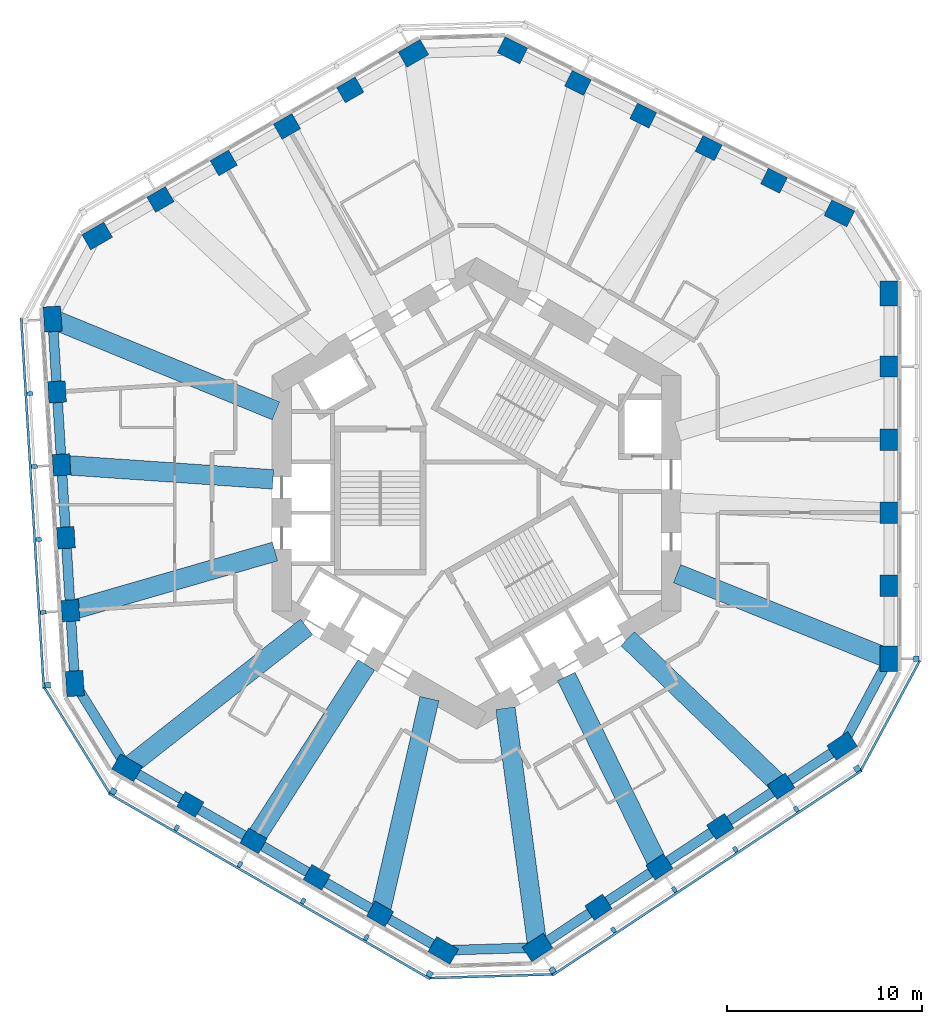
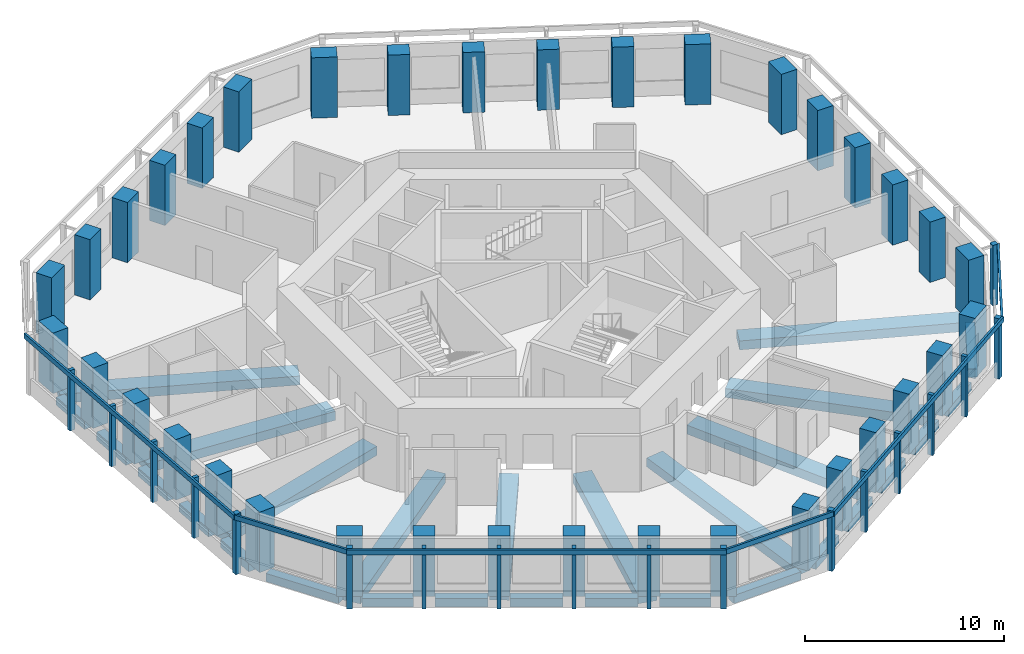
# One storey, part 1 of 11: 36 columns, 28 beams, 24 members, 7 elements without a shape of their own.
"""IFC4 building model written with IfcOpenShell, lengths in metres."""

from ifc_helpers import new_model, si_unit, direction, frame, origin, origin_2d, place, context, subcontext, project, spatial, rectangle, extrude, material, material_profile, profile_set, type_object, element, aggregate, save


model = new_model("IFC4")

# Units and contexts
model_context = context("Model", 3, precision=1e-05, world=origin(), true_north=direction((0.0, 1.0)))
body_context = subcontext(model_context, "Body", "Model", "MODEL_VIEW")
ifc_project = project(units=[si_unit("LENGTHUNIT", "METRE"), si_unit("AREAUNIT", "SQUARE_METRE"), si_unit("VOLUMEUNIT", "CUBIC_METRE"), si_unit("PLANEANGLEUNIT", "RADIAN"), si_unit("MASSUNIT", "GRAM", prefix="KILO")], contexts=[model_context])

# Site, building, storey
site_placement = place(None, origin())
site = spatial("IfcSite", under=ifc_project, at=site_placement, CompositionType="ELEMENT")
building_placement = place(site_placement, origin())
building = spatial("IfcBuilding", under=site, at=building_placement, Name="Vanh Sen Convention Tower", CompositionType="ELEMENT")
storey_placement = place(building_placement, frame((0.0, 0.0, 146.60009765625)))
storey = spatial("IfcBuildingStorey", under=building, at=storey_placement, Name="L35", CompositionType="ELEMENT", Elevation=146.60009765625)

# Columns
ifc_material_1 = material(Name="Concrete C80/95", Category="concrete")
ifc_material_profile_1 = material_profile(ifc_material_1, rectangle(XDim=1.10009765625, YDim=0.89990234375, at=origin_2d()), Name="RC 1100X900")
ifc_profile_set_1 = profile_set([ifc_material_profile_1], Name="Concrete C80/95")
column_type_1 = type_object("IfcColumnType", Name="Facade column 1100 x 900 C80/95", PredefinedType="COLUMN", material=ifc_profile_set_1)
for number, where, z_axis, x_axis, name in (
    (1, (21.199951171875, -4.746826171875, 0.0), (0.0, 0.0, 1.0), (0.0, 1.0, 0.0), "Facade column 02 L35"),
    (2, (21.199951171875, -0.992919921875, 0.0), (0.0, 0.0, 1.0), (0.0, 1.0, 0.0), "Facade column 03 L35"),
    (3, (21.199951171875, 2.76123046875, 0.0), (0.0, 0.0, 1.0), (0.0, 1.0, 0.0), "Facade column 04 L35"),
    (4, (21.199951171875, 6.515380859375, 0.0), (0.0, 0.0, 1.0), (0.0, 1.0, 0.0), "Facade column 05 L35"),
    (5, (15.290283203125, 16.0654296875, 0.0), (0.0, 0.0, 1.0), (-0.894934361602, 0.44619781311, 0.0), "Facade column 08 L35"),
    (6, (11.9306640625, 17.740478515625, 0.0), (0.0, 0.0, 1.0), (-0.894934361602, 0.44619781311, 0.0), "Facade column 09 L35"),
    (7, (8.57080078125, 19.41552734375, 0.0), (0.0, 0.0, 1.0), (-0.894934361602, 0.44619781311, 0.0), "Facade column 10 L35"),
    (8, (5.211181640625, 21.0908203125, 0.0), (0.0, 0.0, 1.0), (-0.894934361602, 0.44619781311, 0.0), "Facade column 11 L35"),
    (9, (-6.489013671875, 20.733154296875, 0.0), (0.0, 0.0, 1.0), (-0.866025403784, -0.5, 0.0), "Facade column 14 L35"),
    (10, (-9.740234375, 18.856201171875, 0.0), (0.0, 0.0, 1.0), (-0.866025403784, -0.5, 0.0), "Facade column 15 L35"),
    (11, (-12.991455078125, 16.97900390625, 0.0), (0.0, 0.0, 1.0), (-0.866025403784, -0.5, 0.0), "Facade column 16 L35"),
    (12, (-16.242431640625, 15.10205078125, 0.0), (0.0, 0.0, 1.0), (-0.866025403784, -0.5, 0.0), "Facade column 17 L35"),
    (13, (-21.55810546875, 5.208984375, 0.0), (0.0, 0.0, 1.0), (0.061048539535, -0.998134798422, 0.0), "Facade column 20 L35"),
    (14, (-21.3291015625, 1.4619140625, 0.0), (0.0, 0.0, 1.0), (0.061048539535, -0.998134798422, 0.0), "Facade column 21 L35"),
    (15, (-21.099853515625, -2.28515625, 0.0), (0.0, 0.0, 1.0), (0.061048539535, -0.998134798422, 0.0), "Facade column 22 L35"),
    (16, (-20.87060546875, -6.0322265625, 0.0), (0.0, 0.0, 1.0), (0.061048539535, -0.998134798422, 0.0), "Facade column 23 L35"),
    (17, (-14.7109375, -15.986328125, 0.0), (0.0, 0.0, 1.0), (0.866025403784, -0.5, 0.0), "Facade column 26 L35"),
    (18, (-11.459716796875, -17.86328125, 0.0), (0.0, 0.0, 1.0), (0.866025403784, -0.5, 0.0), "Facade column 27 L35"),
    (19, (-8.20849609375, -19.740478515625, 0.0), (0.0, 0.0, 1.0), (0.866025403784, -0.5, 0.0), "Facade column 28 L35"),
    (20, (-4.95751953125, -21.617431640625, 0.0), (0.0, 0.0, 1.0), (0.866025403784, -0.5, 0.0), "Facade column 29 L35"),
    (21, (6.267822265625, -21.2744140625, 0.0), (0.0, 0.0, 1.0), (0.833885822067, 0.551936985312, 0.0), "Facade column 32 L35"),
    (22, (9.3984375, -19.202392578125, 0.0), (0.0, 0.0, 1.0), (0.833885822067, 0.551936985312, 0.0), "Facade column 33 L35"),
    (23, (12.52880859375, -17.13037109375, 0.0), (0.0, 0.0, 1.0), (0.833885822067, 0.551936985312, 0.0), "Facade column 34 L35"),
    (24, (15.659423828125, -15.058349609375, 0.0), (0.0, 0.0, 1.0), (0.833885822067, 0.551936985312, 0.0), "Facade column 35 L35"),
):
    element("IfcColumn", number, at=place(storey_placement, frame(where, z_axis=z_axis, x_axis=x_axis)), inside=storey, type_object=column_type_1, Name=name, PredefinedType="COLUMN", context=body_context, shape_type="SweptSolid", body=[
        extrude(rectangle(XDim=1.10009765625, YDim=0.89990234375, at=origin_2d()), origin(), (0.0, 0.0, 1.0), 3.699951171875),
    ])
ifc_material_profile_2 = material_profile(ifc_material_1, rectangle(XDim=1.300048828125, YDim=0.89990234375, at=origin_2d()), Name="RC 1300X900")
ifc_profile_set_2 = profile_set([ifc_material_profile_2], Name="Concrete C80/95")
column_type_2 = type_object("IfcColumnType", Name="Facade corner column 1300 x 900 C80/95", PredefinedType="COLUMN", material=ifc_profile_set_2)
for number, where, z_axis, x_axis, name in (
    (25, (21.199951171875, -8.5009765625, 0.0), (0.0, 0.0, 1.0), (0.0, 1.0, 0.0), "Facade column 01 L35"),
    (26, (21.199951171875, 10.26953125, 0.0), (0.0, 0.0, 1.0), (0.0, 1.0, 0.0), "Facade column 06 L35"),
    (27, (18.64990234375, 14.390380859375, 0.0), (0.0, 0.0, 1.0), (-0.894934361602, 0.44619781311, 0.0), "Facade column 07 L35"),
    (28, (1.8515625, 22.765625, 0.0), (0.0, 0.0, 1.0), (-0.894934361602, 0.44619781311, 0.0), "Facade column 12 L35"),
    (29, (-3.23779296875, 22.610107421875, 0.0), (0.0, 0.0, 1.0), (-0.866025403784, -0.5, 0.0), "Facade column 13 L35"),
    (30, (-19.49365234375, 13.22509765625, 0.0), (0.0, 0.0, 1.0), (-0.866025403784, -0.5, 0.0), "Facade column 18 L35"),
    (31, (-21.787353515625, 8.956298828125, 0.0), (0.0, 0.0, 1.0), (0.061048539535, -0.998134798422, 0.0), "Facade column 19 L35"),
    (32, (-20.6416015625, -9.779296875, 0.0), (0.0, 0.0, 1.0), (0.061048539535, -0.998134798422, 0.0), "Facade column 24 L35"),
    (33, (-17.962158203125, -14.109130859375, 0.0), (0.0, 0.0, 1.0), (0.866025403784, -0.5, 0.0), "Facade column 25 L35"),
    (34, (-1.706298828125, -23.494384765625, 0.0), (0.0, 0.0, 1.0), (0.866025403784, -0.5, 0.0), "Facade column 30 L35"),
    (35, (3.137451171875, -23.346435546875, 0.0), (0.0, 0.0, 1.0), (0.833885822067, 0.551936985312, 0.0), "Facade column 31 L35"),
    (36, (18.789794921875, -12.986328125, 0.0), (0.0, 0.0, 1.0), (0.833885822067, 0.551936985312, 0.0), "Facade column 36 L35"),
):
    element("IfcColumn", number, at=place(storey_placement, frame(where, z_axis=z_axis, x_axis=x_axis)), inside=storey, type_object=column_type_2, Name=name, PredefinedType="COLUMN", context=body_context, shape_type="SweptSolid", body=[
        extrude(rectangle(XDim=1.300048828125, YDim=0.89990234375, at=origin_2d()), origin(), (0.0, 0.0, 1.0), 3.699951171875),
    ])

# Curtain wall, member
ifc_material_2 = material(Name="Concrete C50/60", Category="concrete")
curtain_wall_type = type_object("IfcCurtainWallType", Name="Outer skin office zone", PredefinedType="NOTDEFINED", material=ifc_material_2)
curtain_wall_1_placement = place(storey_placement, origin())
curtain_wall_1 = element("IfcCurtainWall", 37, at=curtain_wall_1_placement, inside=storey, type_object=curtain_wall_type, Name="OUTER SKIN E L35", PredefinedType="NOTDEFINED")
ifc_material_profile_3 = material_profile(ifc_material_2, rectangle(XDim=0.300048828125, YDim=0.300048828125, at=origin_2d()), Name="Outer skin precast corner fin 300 x 300")
ifc_profile_set_3 = profile_set([ifc_material_profile_3], Name="Concrete C50/60")
member_type_1 = type_object("IfcMemberType", Name="Outer skin precast corner fin 300 x 300", PredefinedType="MULLION", material=ifc_profile_set_3)
member_1_placement = place(storey_placement, frame((22.60009765625, -8.5009765625, 0.0), z_axis=(0.0, 0.0, 1.0), x_axis=(0.0, 1.0, 0.0)))
member_1 = element("IfcMember", 38, at=member_1_placement, type_object=member_type_1, Name="OUTER SKIN CORNER FIN 1 E L35", PredefinedType="MULLION", context=body_context, shape_type="SweptSolid", body=[
    extrude(rectangle(XDim=0.300048828125, YDim=0.300048828125, at=origin_2d()), origin(), (0.0, 0.0, 1.0), 3.699951171875),
])
aggregate(curtain_wall_1, [member_1])

curtain_wall_2_placement = place(storey_placement, origin())
curtain_wall_2 = element("IfcCurtainWall", 39, at=curtain_wall_2_placement, inside=storey, type_object=curtain_wall_type, Name="OUTER SKIN W L35", PredefinedType="NOTDEFINED")
member_2_placement = place(storey_placement, frame((-22.038818359375, -9.864990234375, 0.0), z_axis=(0.0, 0.0, 1.0), x_axis=(0.061048539535, -0.998134798422, 0.0)))
member_2 = element("IfcMember", 40, at=member_2_placement, type_object=member_type_1, Name="OUTER SKIN CORNER FIN 6 W L35", PredefinedType="MULLION", context=body_context, shape_type="SweptSolid", body=[
    extrude(rectangle(XDim=0.300048828125, YDim=0.300048828125, at=origin_2d()), origin(), (0.0, 0.0, 1.0), 3.699951171875),
])

# Curtain wall, members
curtain_wall_3_placement = place(storey_placement, origin())
curtain_wall_3 = element("IfcCurtainWall", 41, at=curtain_wall_3_placement, inside=storey, type_object=curtain_wall_type, Name="OUTER SKIN SW L35", PredefinedType="NOTDEFINED")
member_3_placement = place(storey_placement, frame((-18.662109375, -15.321533203125, 0.0), z_axis=(0.0, 0.0, 1.0), x_axis=(0.866025403784, -0.5, 0.0)))
member_3 = element("IfcMember", 42, at=member_3_placement, type_object=member_type_1, Name="OUTER SKIN CORNER FIN 1 SW L35", PredefinedType="MULLION", context=body_context, shape_type="SweptSolid", body=[
    extrude(rectangle(XDim=0.300048828125, YDim=0.300048828125, at=origin_2d()), origin(), (0.0, 0.0, 1.0), 3.699951171875),
])
member_4_placement = place(storey_placement, frame((-2.40625, -24.706787109375, 0.0), z_axis=(0.0, 0.0, 1.0), x_axis=(0.866025403784, -0.5, 0.0)))
member_4 = element("IfcMember", 43, at=member_4_placement, type_object=member_type_1, Name="OUTER SKIN CORNER FIN 6 SW L35", PredefinedType="MULLION", context=body_context, shape_type="SweptSolid", body=[
    extrude(rectangle(XDim=0.300048828125, YDim=0.300048828125, at=origin_2d()), origin(), (0.0, 0.0, 1.0), 3.699951171875),
])

curtain_wall_4_placement = place(storey_placement, origin())
curtain_wall_4 = element("IfcCurtainWall", 44, at=curtain_wall_4_placement, inside=storey, type_object=curtain_wall_type, Name="OUTER SKIN SE L35", PredefinedType="NOTDEFINED")
member_5_placement = place(storey_placement, frame((3.91015625, -24.513916015625, 0.0), z_axis=(0.0, 0.0, 1.0), x_axis=(0.833885822067, 0.551936985312, 0.0)))
member_5 = element("IfcMember", 45, at=member_5_placement, type_object=member_type_1, Name="OUTER SKIN CORNER FIN 1 SE L35", PredefinedType="MULLION", context=body_context, shape_type="SweptSolid", body=[
    extrude(rectangle(XDim=0.300048828125, YDim=0.300048828125, at=origin_2d()), origin(), (0.0, 0.0, 1.0), 3.699951171875),
])
member_6_placement = place(storey_placement, frame((19.5625, -14.15380859375, 0.0), z_axis=(0.0, 0.0, 1.0), x_axis=(0.833885822067, 0.551936985312, 0.0)))
member_6 = element("IfcMember", 46, at=member_6_placement, type_object=member_type_1, Name="OUTER SKIN CORNER FIN 6 SE L35", PredefinedType="MULLION", context=body_context, shape_type="SweptSolid", body=[
    extrude(rectangle(XDim=0.300048828125, YDim=0.300048828125, at=origin_2d()), origin(), (0.0, 0.0, 1.0), 3.699951171875),
])

# Member
ifc_material_profile_4 = material_profile(ifc_material_2, rectangle(XDim=0.199951171875, YDim=0.300048828125, at=origin_2d()), Name="Outer skin precast fin 200 x 300")
ifc_profile_set_4 = profile_set([ifc_material_profile_4], Name="Concrete C50/60")
member_type_2 = type_object("IfcMemberType", Name="Outer skin precast fin 200 x 300", PredefinedType="MULLION", material=ifc_profile_set_4)
member_7_placement = place(storey_placement, frame((-22.95556640625, 5.12353515625, 0.0), z_axis=(0.0, 0.0, 1.0), x_axis=(0.061048539535, -0.998134798422, 0.0)))
member_7 = element("IfcMember", 47, at=member_7_placement, type_object=member_type_2, Name="OUTER SKIN fin 2 W L35", PredefinedType="MULLION", context=body_context, shape_type="SweptSolid", body=[
    extrude(rectangle(XDim=0.199951171875, YDim=0.300048828125, at=origin_2d()), origin(), (0.0, 0.0, 1.0), 3.699951171875),
])

member_8_placement = place(storey_placement, frame((-22.726318359375, 1.37646484375, 0.0), z_axis=(0.0, 0.0, 1.0), x_axis=(0.061048539535, -0.998134798422, 0.0)))
member_8 = element("IfcMember", 48, at=member_8_placement, type_object=member_type_2, Name="OUTER SKIN fin 3 W L35", PredefinedType="MULLION", context=body_context, shape_type="SweptSolid", body=[
    extrude(rectangle(XDim=0.199951171875, YDim=0.300048828125, at=origin_2d()), origin(), (0.0, 0.0, 1.0), 3.699951171875),
])

member_9_placement = place(storey_placement, frame((-22.497314453125, -2.37060546875, 0.0), z_axis=(0.0, 0.0, 1.0), x_axis=(0.061048539535, -0.998134798422, 0.0)))
member_9 = element("IfcMember", 49, at=member_9_placement, type_object=member_type_2, Name="OUTER SKIN fin 4 W L35", PredefinedType="MULLION", context=body_context, shape_type="SweptSolid", body=[
    extrude(rectangle(XDim=0.199951171875, YDim=0.300048828125, at=origin_2d()), origin(), (0.0, 0.0, 1.0), 3.699951171875),
])

member_10_placement = place(storey_placement, frame((-22.26806640625, -6.117919921875, 0.0), z_axis=(0.0, 0.0, 1.0), x_axis=(0.061048539535, -0.998134798422, 0.0)))
member_10 = element("IfcMember", 50, at=member_10_placement, type_object=member_type_2, Name="OUTER SKIN fin 5 W L35", PredefinedType="MULLION", context=body_context, shape_type="SweptSolid", body=[
    extrude(rectangle(XDim=0.199951171875, YDim=0.300048828125, at=origin_2d()), origin(), (0.0, 0.0, 1.0), 3.699951171875),
])

member_11_placement = place(storey_placement, frame((-15.410888671875, -17.19873046875, 0.0), z_axis=(0.0, 0.0, 1.0), x_axis=(0.866025403784, -0.5, 0.0)))
member_11 = element("IfcMember", 51, at=member_11_placement, type_object=member_type_2, Name="OUTER SKIN fin 2 SW L35", PredefinedType="MULLION", context=body_context, shape_type="SweptSolid", body=[
    extrude(rectangle(XDim=0.199951171875, YDim=0.300048828125, at=origin_2d()), origin(), (0.0, 0.0, 1.0), 3.699951171875),
])

member_12_placement = place(storey_placement, frame((-12.159912109375, -19.07568359375, 0.0), z_axis=(0.0, 0.0, 1.0), x_axis=(0.866025403784, -0.5, 0.0)))
member_12 = element("IfcMember", 52, at=member_12_placement, type_object=member_type_2, Name="OUTER SKIN fin 3 SW L35", PredefinedType="MULLION", context=body_context, shape_type="SweptSolid", body=[
    extrude(rectangle(XDim=0.199951171875, YDim=0.300048828125, at=origin_2d()), origin(), (0.0, 0.0, 1.0), 3.699951171875),
])

member_13_placement = place(storey_placement, frame((-8.90869140625, -20.952880859375, 0.0), z_axis=(0.0, 0.0, 1.0), x_axis=(0.866025403784, -0.5, 0.0)))
member_13 = element("IfcMember", 53, at=member_13_placement, type_object=member_type_2, Name="OUTER SKIN fin 4 SW L35", PredefinedType="MULLION", context=body_context, shape_type="SweptSolid", body=[
    extrude(rectangle(XDim=0.199951171875, YDim=0.300048828125, at=origin_2d()), origin(), (0.0, 0.0, 1.0), 3.699951171875),
])

member_14_placement = place(storey_placement, frame((-5.657470703125, -22.829833984375, 0.0), z_axis=(0.0, 0.0, 1.0), x_axis=(0.866025403784, -0.5, 0.0)))
member_14 = element("IfcMember", 54, at=member_14_placement, type_object=member_type_2, Name="OUTER SKIN fin 5 SW L35", PredefinedType="MULLION", context=body_context, shape_type="SweptSolid", body=[
    extrude(rectangle(XDim=0.199951171875, YDim=0.300048828125, at=origin_2d()), origin(), (0.0, 0.0, 1.0), 3.699951171875),
])

member_15_placement = place(storey_placement, frame((7.04052734375, -22.44189453125, 0.0), z_axis=(0.0, 0.0, 1.0), x_axis=(0.833885822067, 0.551936985312, 0.0)))
member_15 = element("IfcMember", 55, at=member_15_placement, type_object=member_type_2, Name="OUTER SKIN fin 2 SE L35", PredefinedType="MULLION", context=body_context, shape_type="SweptSolid", body=[
    extrude(rectangle(XDim=0.199951171875, YDim=0.300048828125, at=origin_2d()), origin(), (0.0, 0.0, 1.0), 3.699951171875),
])

member_16_placement = place(storey_placement, frame((10.171142578125, -20.369873046875, 0.0), z_axis=(0.0, 0.0, 1.0), x_axis=(0.833885822067, 0.551936985312, 0.0)))
member_16 = element("IfcMember", 56, at=member_16_placement, type_object=member_type_2, Name="OUTER SKIN fin 3 SE L35", PredefinedType="MULLION", context=body_context, shape_type="SweptSolid", body=[
    extrude(rectangle(XDim=0.199951171875, YDim=0.300048828125, at=origin_2d()), origin(), (0.0, 0.0, 1.0), 3.699951171875),
])

member_17_placement = place(storey_placement, frame((13.301513671875, -18.2978515625, 0.0), z_axis=(0.0, 0.0, 1.0), x_axis=(0.833885822067, 0.551936985312, 0.0)))
member_17 = element("IfcMember", 57, at=member_17_placement, type_object=member_type_2, Name="OUTER SKIN fin 4 SE L35", PredefinedType="MULLION", context=body_context, shape_type="SweptSolid", body=[
    extrude(rectangle(XDim=0.199951171875, YDim=0.300048828125, at=origin_2d()), origin(), (0.0, 0.0, 1.0), 3.699951171875),
])

member_18_placement = place(storey_placement, frame((16.43212890625, -16.225830078125, 0.0), z_axis=(0.0, 0.0, 1.0), x_axis=(0.833885822067, 0.551936985312, 0.0)))
member_18 = element("IfcMember", 58, at=member_18_placement, type_object=member_type_2, Name="OUTER SKIN fin 5 SE L35", PredefinedType="MULLION", context=body_context, shape_type="SweptSolid", body=[
    extrude(rectangle(XDim=0.199951171875, YDim=0.300048828125, at=origin_2d()), origin(), (0.0, 0.0, 1.0), 3.699951171875),
])

ifc_material_profile_5 = material_profile(ifc_material_2, rectangle(XDim=0.1201171875, YDim=0.300048828125, at=origin_2d()), Name="Outer skin precast spandrel band 300 x 120")
ifc_profile_set_5 = profile_set([ifc_material_profile_5], Name="Concrete C50/60")
member_type_3 = type_object("IfcMemberType", Name="Outer skin precast spandrel band 300 x 120", PredefinedType="USERDEFINED", material=ifc_profile_set_5)
member_19_placement = place(storey_placement, frame((-23.403564453125, 9.007568359375, 3.5498046875), z_axis=(0.061052799403, -0.998134537868, 0.0), x_axis=(0.998134537868, 0.061052799403, 0.0)))
member_19 = element("IfcMember", 59, at=member_19_placement, type_object=member_type_3, Name="OUTER SKIN spandrel band W L35", ObjectType="TRANSOM", PredefinedType="USERDEFINED", context=body_context, shape_type="SweptSolid", body=[
    extrude(rectangle(XDim=0.1201171875, YDim=0.300048828125, at=origin_2d()), origin(), (0.0, 0.0, 1.0), 19.070556640625),
])

aggregate(curtain_wall_2, [member_7, member_8, member_9, member_10, member_2, member_19])

# Curtain wall, member
curtain_wall_5_placement = place(storey_placement, origin())
curtain_wall_5 = element("IfcCurtainWall", 60, at=curtain_wall_5_placement, inside=storey, type_object=curtain_wall_type, Name="OUTER SKIN CH4 L35", PredefinedType="NOTDEFINED")
member_20_placement = place(storey_placement, frame((-22.217529296875, -9.975341796875, 3.5498046875), z_axis=(0.526207913146, -0.85035594438, 0.0), x_axis=(0.85035594438, 0.526207913146, 0.0)))
member_20 = element("IfcMember", 61, at=member_20_placement, type_object=member_type_3, Name="OUTER SKIN spandrel band CH4 L35", ObjectType="TRANSOM", PredefinedType="USERDEFINED", context=body_context, shape_type="SweptSolid", body=[
    extrude(rectangle(XDim=0.1201171875, YDim=0.300048828125, at=origin_2d()), origin(), (0.0, 0.0, 1.0), 6.4169921875),
])
aggregate(curtain_wall_5, [member_20])

# Member
member_21_placement = place(storey_placement, frame((-18.89697265625, -15.428466796875, 3.5498046875), z_axis=(0.866023136587, -0.500003926881, 0.0), x_axis=(0.500003926881, 0.866023136587, 0.0)))
member_21 = element("IfcMember", 62, at=member_21_placement, type_object=member_type_3, Name="OUTER SKIN spandrel band SW L35", ObjectType="TRANSOM", PredefinedType="USERDEFINED", context=body_context, shape_type="SweptSolid", body=[
    extrude(rectangle(XDim=0.1201171875, YDim=0.300048828125, at=origin_2d()), origin(), (0.0, 0.0, 1.0), 19.070556640625),
])

aggregate(curtain_wall_3, [member_3, member_11, member_12, member_13, member_14, member_4, member_21])

# Curtain wall, member
curtain_wall_6_placement = place(storey_placement, origin())
curtain_wall_6 = element("IfcCurtainWall", 63, at=curtain_wall_6_placement, inside=storey, type_object=curtain_wall_type, Name="OUTER SKIN CH5 L35", PredefinedType="NOTDEFINED")
member_22_placement = place(storey_placement, frame((-2.39990234375, -24.916748046875, 3.5498046875), z_axis=(0.99953413443, 0.030520716071, 0.0), x_axis=(-0.030520716071, 0.99953413443, 0.0)))
member_22 = element("IfcMember", 64, at=member_22_placement, type_object=member_type_3, Name="OUTER SKIN spandrel band CH5 L35", ObjectType="TRANSOM", PredefinedType="USERDEFINED", context=body_context, shape_type="SweptSolid", body=[
    extrude(rectangle(XDim=0.1201171875, YDim=0.300048828125, at=origin_2d()), origin(), (0.0, 0.0, 1.0), 6.3193359375),
])
aggregate(curtain_wall_6, [member_22])

# Member
member_23_placement = place(storey_placement, frame((3.90087890625, -24.771728515625, 3.5498046875), z_axis=(0.833891134859, 0.551928958475, 0.0), x_axis=(-0.551928958475, 0.833891134859, 0.0)))
member_23 = element("IfcMember", 65, at=member_23_placement, type_object=member_type_3, Name="OUTER SKIN spandrel band SE L35", ObjectType="TRANSOM", PredefinedType="USERDEFINED", context=body_context, shape_type="SweptSolid", body=[
    extrude(rectangle(XDim=0.1201171875, YDim=0.300048828125, at=origin_2d()), origin(), (0.0, 0.0, 1.0), 19.070556640625),
])

aggregate(curtain_wall_4, [member_5, member_15, member_16, member_17, member_18, member_6, member_23])

# Curtain wall, member
curtain_wall_7_placement = place(storey_placement, origin())
curtain_wall_7 = element("IfcCurtainWall", 66, at=curtain_wall_7_placement, inside=storey, type_object=curtain_wall_type, Name="OUTER SKIN CH6 L35", PredefinedType="NOTDEFINED")
member_24_placement = place(storey_placement, frame((19.74755859375, -14.253173828125, 3.5498046875), z_axis=(0.473316922434, 0.880892213008, 0.0), x_axis=(-0.880892213008, 0.473316922434, 0.0)))
member_24 = element("IfcMember", 67, at=member_24_placement, type_object=member_type_3, Name="OUTER SKIN spandrel band CH6 L35", ObjectType="TRANSOM", PredefinedType="USERDEFINED", context=body_context, shape_type="SweptSolid", body=[
    extrude(rectangle(XDim=0.1201171875, YDim=0.300048828125, at=origin_2d()), origin(), (0.0, 0.0, 1.0), 6.417236328125),
])
aggregate(curtain_wall_7, [member_24])

# Beams
ifc_material_3 = material(Name="Concrete C50/60", Category="concrete")
ifc_material_profile_6 = material_profile(ifc_material_3, rectangle(XDim=1.0, YDim=0.550048828125, at=origin_2d()), Name="RC 1000X550")
ifc_profile_set_6 = profile_set([ifc_material_profile_6], Name="Concrete C50/60")
beam_type_1 = type_object("IfcBeamType", Name="Radial floor beam 1000 x 550", PredefinedType="BEAM", material=ifc_profile_set_6)
beam_1_placement = place(storey_placement, frame((20.940673828125, -8.39697265625, -0.55517578125), z_axis=(-0.928155894618, 0.372191664718, 0.0), x_axis=(-0.372191664718, -0.928155894618, 0.0)))
element("IfcBeam", 68, at=beam_1_placement, inside=storey, type_object=beam_type_1, Name="Radial beam 01 L35", PredefinedType="BEAM", context=body_context, shape_type="SweptSolid", body=[
    extrude(rectangle(XDim=1.0, YDim=0.550048828125, at=origin_2d()), origin(), (0.0, 0.0, 1.0), 11.454345703125),
])
beam_2_placement = place(storey_placement, frame((-21.5537109375, 8.860107421875, -0.55517578125), z_axis=(0.924898704651, -0.380213605932, 0.0), x_axis=(0.380213605932, 0.924898704651, 0.0)))
element("IfcBeam", 69, at=beam_2_placement, inside=storey, type_object=beam_type_1, Name="Radial beam 10 L35", PredefinedType="BEAM", context=body_context, shape_type="SweptSolid", body=[
    extrude(rectangle(XDim=1.0, YDim=0.550048828125, at=origin_2d()), origin(), (0.0, 0.0, 1.0), 12.16162109375),
])
beam_3_placement = place(storey_placement, frame((-20.9462890625, 1.435791015625, -0.55517578125), z_axis=(0.997658941032, -0.068385944315, 0.0), x_axis=(0.068385944315, 0.997658941032, 0.0)))
element("IfcBeam", 70, at=beam_3_placement, inside=storey, type_object=beam_type_1, Name="Radial beam 11 L35", PredefinedType="BEAM", context=body_context, shape_type="SweptSolid", body=[
    extrude(rectangle(XDim=1.0, YDim=0.550048828125, at=origin_2d()), origin(), (0.0, 0.0, 1.0), 10.51025390625),
])
beam_4_placement = place(storey_placement, frame((-20.602783203125, -5.954833984375, -0.55517578125), z_axis=(0.960679861027, 0.277658431563, 0.0), x_axis=(-0.277658431563, 0.960679861027, 0.0)))
element("IfcBeam", 71, at=beam_4_placement, inside=storey, type_object=beam_type_1, Name="Radial beam 12 L35", PredefinedType="BEAM", context=body_context, shape_type="SweptSolid", body=[
    extrude(rectangle(XDim=1.0, YDim=0.550048828125, at=origin_2d()), origin(), (0.0, 0.0, 1.0), 10.665771484375),
])
beam_5_placement = place(storey_placement, frame((-17.742431640625, -13.936767578125, -0.55517578125), z_axis=(0.786390075882, 0.617730239307, 0.0), x_axis=(-0.617730239307, 0.786390075882, 0.0)))
element("IfcBeam", 72, at=beam_5_placement, inside=storey, type_object=beam_type_1, Name="Radial beam 13 L35", PredefinedType="BEAM", context=body_context, shape_type="SweptSolid", body=[
    extrude(rectangle(XDim=1.0, YDim=0.550048828125, at=origin_2d()), origin(), (0.0, 0.0, 1.0), 11.454345703125),
])
beam_6_placement = place(storey_placement, frame((-11.23193359375, -17.508056640625, -0.55517578125), z_axis=(0.539975252329, 0.841680893731, 0.0), x_axis=(-0.841680893731, 0.539975252329, 0.0)))
element("IfcBeam", 73, at=beam_6_placement, inside=storey, type_object=beam_type_1, Name="Radial beam 14 L35", PredefinedType="BEAM", context=body_context, shape_type="SweptSolid", body=[
    extrude(rectangle(XDim=1.0, YDim=0.550048828125, at=origin_2d()), origin(), (0.0, 0.0, 1.0), 10.318115234375),
])
beam_7_placement = place(storey_placement, frame((-4.90380859375, -21.38330078125, -0.55517578125), z_axis=(0.22352270498, 0.974698722867, 0.0), x_axis=(-0.974698722867, 0.22352270498, 0.0)))
element("IfcBeam", 74, at=beam_7_placement, inside=storey, type_object=beam_type_1, Name="Radial beam 15 L35", PredefinedType="BEAM", context=body_context, shape_type="SweptSolid", body=[
    extrude(rectangle(XDim=1.0, YDim=0.550048828125, at=origin_2d()), origin(), (0.0, 0.0, 1.0), 11.112548828125),
])
beam_8_placement = place(storey_placement, frame((3.103759765625, -23.095947265625, -0.55517578125), z_axis=(-0.133195875593, 0.991089732933, 0.0), x_axis=(-0.991089732933, -0.133195875593, 0.0)))
element("IfcBeam", 75, at=beam_8_placement, inside=storey, type_object=beam_type_1, Name="Radial beam 16 L35", PredefinedType="BEAM", context=body_context, shape_type="SweptSolid", body=[
    extrude(rectangle(XDim=1.0, YDim=0.550048828125, at=origin_2d()), origin(), (0.0, 0.0, 1.0), 12.16162109375),
])
beam_9_placement = place(storey_placement, frame((9.229736328125, -18.85791015625, -0.55517578125), z_axis=(-0.439596726485, 0.898195256091, 0.0), x_axis=(-0.898195256091, -0.439596726485, 0.0)))
element("IfcBeam", 76, at=beam_9_placement, inside=storey, type_object=beam_type_1, Name="Radial beam 17 L35", PredefinedType="BEAM", context=body_context, shape_type="SweptSolid", body=[
    extrude(rectangle(XDim=1.0, YDim=0.550048828125, at=origin_2d()), origin(), (0.0, 0.0, 1.0), 10.510009765625),
])
beam_10_placement = place(storey_placement, frame((15.458251953125, -14.864990234375, -0.55517578125), z_axis=(-0.720797435076, 0.693145769365, 0.0), x_axis=(-0.693145769365, -0.720797435076, 0.0)))
element("IfcBeam", 77, at=beam_10_placement, inside=storey, type_object=beam_type_1, Name="Radial beam 18 L35", PredefinedType="BEAM", context=body_context, shape_type="SweptSolid", body=[
    extrude(rectangle(XDim=1.0, YDim=0.550048828125, at=origin_2d()), origin(), (0.0, 0.0, 1.0), 10.66552734375),
])
ifc_material_profile_7 = material_profile(ifc_material_3, rectangle(XDim=0.5, YDim=0.5, at=origin_2d()), Name="RC 500X500")
ifc_profile_set_7 = profile_set([ifc_material_profile_7], Name="Concrete C50/60")
beam_type_2 = type_object("IfcBeamType", Name="Spandrel beam 500 x 500", PredefinedType="SPANDREL", material=ifc_profile_set_7)
beam_11_placement = place(storey_placement, frame((-21.748046875, 8.3125, -0.530029296875), z_axis=(0.061026827248, -0.998136126165, 0.0), x_axis=(0.998136126165, 0.061026827248, 0.0)))
element("IfcBeam", 78, at=beam_11_placement, inside=storey, type_object=beam_type_2, Name="Spandrel beam 19 L35", PredefinedType="SPANDREL", context=body_context, shape_type="SweptSolid", body=[
    extrude(rectangle(XDim=0.5, YDim=0.5, at=origin_2d()), origin(), (0.0, 0.0, 1.0), 2.564453125),
])
beam_12_placement = place(storey_placement, frame((-21.52490234375, 4.665283203125, -0.530029296875), z_axis=(0.061026226429, -0.9981361629, 0.0), x_axis=(0.9981361629, 0.061026226429, 0.0)))
element("IfcBeam", 79, at=beam_12_placement, inside=storey, type_object=beam_type_2, Name="Spandrel beam 20 L35", PredefinedType="SPANDREL", context=body_context, shape_type="SweptSolid", body=[
    extrude(rectangle(XDim=0.5, YDim=0.5, at=origin_2d()), origin(), (0.0, 0.0, 1.0), 2.664306640625),
])
for number, where, z_axis, x_axis, name in (
    (80, (-21.295654296875, 0.91796875, -0.530029296875), (0.061031808409, -0.998135821601, 0.0), (0.998135821601, 0.061031808409, 0.0), "Spandrel beam 21 L35"),
    (81, (-21.06640625, -2.8291015625, -0.530029296875), (0.060940509637, -0.998141399946, 0.0), (0.998141399946, 0.060940509637, 0.0), "Spandrel beam 22 L35"),
):
    element("IfcBeam", number, at=place(storey_placement, frame(where, z_axis=z_axis, x_axis=x_axis)), inside=storey, type_object=beam_type_2, Name=name, PredefinedType="SPANDREL", context=body_context, shape_type="SweptSolid", body=[
        extrude(rectangle(XDim=0.5, YDim=0.5, at=origin_2d()), origin(), (0.0, 0.0, 1.0), 2.6640625),
    ])
beam_13_placement = place(storey_placement, frame((-20.83740234375, -6.576171875, -0.530029296875), z_axis=(0.061032627068, -0.998135771543, 0.0), x_axis=(0.998135771543, 0.061032627068, 0.0)))
element("IfcBeam", 82, at=beam_13_placement, inside=storey, type_object=beam_type_2, Name="Spandrel beam 23 L35", PredefinedType="SPANDREL", context=body_context, shape_type="SweptSolid", body=[
    extrude(rectangle(XDim=0.5, YDim=0.5, at=origin_2d()), origin(), (0.0, 0.0, 1.0), 2.564208984375),
])
beam_14_placement = place(storey_placement, frame((-20.388671875, -10.18798828125, -0.530029296875), z_axis=(0.526232532359, -0.850340709297, 0.0), x_axis=(0.850340709297, 0.526232532359, 0.0)))
element("IfcBeam", 83, at=beam_14_placement, inside=storey, type_object=beam_type_2, Name="Spandrel beam 24 L35", PredefinedType="SPANDREL", context=body_context, shape_type="SweptSolid", body=[
    extrude(rectangle(XDim=0.5, YDim=0.5, at=origin_2d()), origin(), (0.0, 0.0, 1.0), 4.130859375),
])
beam_15_placement = place(storey_placement, frame((-17.403564453125, -14.431640625, -0.530029296875), z_axis=(0.866008007854, -0.500030129425, 0.0), x_axis=(0.500030129425, 0.866008007854, 0.0)))
element("IfcBeam", 84, at=beam_15_placement, inside=storey, type_object=beam_type_2, Name="Spandrel beam 25 L35", PredefinedType="SPANDREL", context=body_context, shape_type="SweptSolid", body=[
    extrude(rectangle(XDim=0.5, YDim=0.5, at=origin_2d()), origin(), (0.0, 0.0, 1.0), 2.564208984375),
])
for number, where, z_axis, x_axis, name in (
    (85, (-14.239013671875, -16.2587890625, -0.530029296875), (0.866023818221, -0.500002746266, 0.0), (0.500002746266, 0.866023818221, 0.0), "Spandrel beam 26 L35"),
    (86, (-10.98779296875, -18.1357421875, -0.530029296875), (0.8659841347, -0.500071473339, 0.0), (0.500071473339, 0.8659841347, 0.0), "Spandrel beam 27 L35"),
    (87, (-7.736572265625, -20.012939453125, -0.530029296875), (0.866023818221, -0.500002746266, 0.0), (0.500002746266, 0.866023818221, 0.0), "Spandrel beam 28 L35"),
):
    element("IfcBeam", number, at=place(storey_placement, frame(where, z_axis=z_axis, x_axis=x_axis)), inside=storey, type_object=beam_type_2, Name=name, PredefinedType="SPANDREL", context=body_context, shape_type="SweptSolid", body=[
        extrude(rectangle(XDim=0.5, YDim=0.5, at=origin_2d()), origin(), (0.0, 0.0, 1.0), 2.6640625),
    ])
beam_16_placement = place(storey_placement, frame((-4.485595703125, -21.889892578125, -0.530029296875), z_axis=(0.866008007854, -0.500030129425, 0.0), x_axis=(0.500030129425, 0.866008007854, 0.0)))
element("IfcBeam", 88, at=beam_16_placement, inside=storey, type_object=beam_type_2, Name="Spandrel beam 29 L35", PredefinedType="SPANDREL", context=body_context, shape_type="SweptSolid", body=[
    extrude(rectangle(XDim=0.5, YDim=0.5, at=origin_2d()), origin(), (0.0, 0.0, 1.0), 2.564208984375),
])
beam_17_placement = place(storey_placement, frame((-1.260498046875, -23.48095703125, -0.530029296875), z_axis=(0.999532756569, 0.03056580679, 0.0), x_axis=(-0.03056580679, 0.999532756569, 0.0)))
element("IfcBeam", 89, at=beam_17_placement, inside=storey, type_object=beam_type_2, Name="Spandrel beam 30 L35", PredefinedType="SPANDREL", context=body_context, shape_type="SweptSolid", body=[
    extrude(rectangle(XDim=0.5, YDim=0.5, at=origin_2d()), origin(), (0.0, 0.0, 1.0), 3.953857421875),
])
beam_18_placement = place(storey_placement, frame((3.67529296875, -22.990478515625, -0.530029296875), z_axis=(0.833876783429, 0.551950640961, 0.0), x_axis=(-0.551950640961, 0.833876783429, 0.0)))
element("IfcBeam", 90, at=beam_18_placement, inside=storey, type_object=beam_type_2, Name="Spandrel beam 31 L35", PredefinedType="SPANDREL", context=body_context, shape_type="SweptSolid", body=[
    extrude(rectangle(XDim=0.5, YDim=0.5, at=origin_2d()), origin(), (0.0, 0.0, 1.0), 2.564208984375),
])
beam_19_placement = place(storey_placement, frame((6.722412109375, -20.9736328125, -0.530029296875), z_axis=(0.833906773816, 0.551905329368, 0.0), x_axis=(-0.551905329368, 0.833906773816, 0.0)))
element("IfcBeam", 91, at=beam_19_placement, inside=storey, type_object=beam_type_2, Name="Spandrel beam 32 L35", PredefinedType="SPANDREL", context=body_context, shape_type="SweptSolid", body=[
    extrude(rectangle(XDim=0.5, YDim=0.5, at=origin_2d()), origin(), (0.0, 0.0, 1.0), 2.663818359375),
])
beam_20_placement = place(storey_placement, frame((9.852783203125, -18.901611328125, -0.530029296875), z_axis=(0.8338925114, 0.551926878699, 0.0), x_axis=(-0.551926878699, 0.8338925114, 0.0)))
element("IfcBeam", 92, at=beam_20_placement, inside=storey, type_object=beam_type_2, Name="Spandrel beam 33 L35", PredefinedType="SPANDREL", context=body_context, shape_type="SweptSolid", body=[
    extrude(rectangle(XDim=0.5, YDim=0.5, at=origin_2d()), origin(), (0.0, 0.0, 1.0), 2.664306640625),
])
beam_21_placement = place(storey_placement, frame((12.9833984375, -16.82958984375, -0.530029296875), z_axis=(0.833864593577, 0.551969056722, 0.0), x_axis=(-0.551969056722, 0.833864593577, 0.0)))
element("IfcBeam", 93, at=beam_21_placement, inside=storey, type_object=beam_type_2, Name="Spandrel beam 34 L35", PredefinedType="SPANDREL", context=body_context, shape_type="SweptSolid", body=[
    extrude(rectangle(XDim=0.5, YDim=0.5, at=origin_2d()), origin(), (0.0, 0.0, 1.0), 2.6640625),
])
beam_22_placement = place(storey_placement, frame((16.114013671875, -14.757568359375, -0.530029296875), z_axis=(0.833847773334, 0.551994466372, 0.0), x_axis=(-0.551994466372, 0.833847773334, 0.0)))
element("IfcBeam", 94, at=beam_22_placement, inside=storey, type_object=beam_type_2, Name="Spandrel beam 35 L35", PredefinedType="SPANDREL", context=body_context, shape_type="SweptSolid", body=[
    extrude(rectangle(XDim=0.5, YDim=0.5, at=origin_2d()), origin(), (0.0, 0.0, 1.0), 2.56396484375),
])
beam_23_placement = place(storey_placement, frame((19.017333984375, -12.563232421875, -0.530029296875), z_axis=(0.473331343441, 0.880884464227, 0.0), x_axis=(-0.880884464227, 0.473331343441, 0.0)))
element("IfcBeam", 95, at=beam_23_placement, inside=storey, type_object=beam_type_2, Name="Spandrel beam 36 L35", PredefinedType="SPANDREL", context=body_context, shape_type="SweptSolid", body=[
    extrude(rectangle(XDim=0.5, YDim=0.5, at=origin_2d()), origin(), (0.0, 0.0, 1.0), 4.130859375),
])

save(model, "model.ifc")
